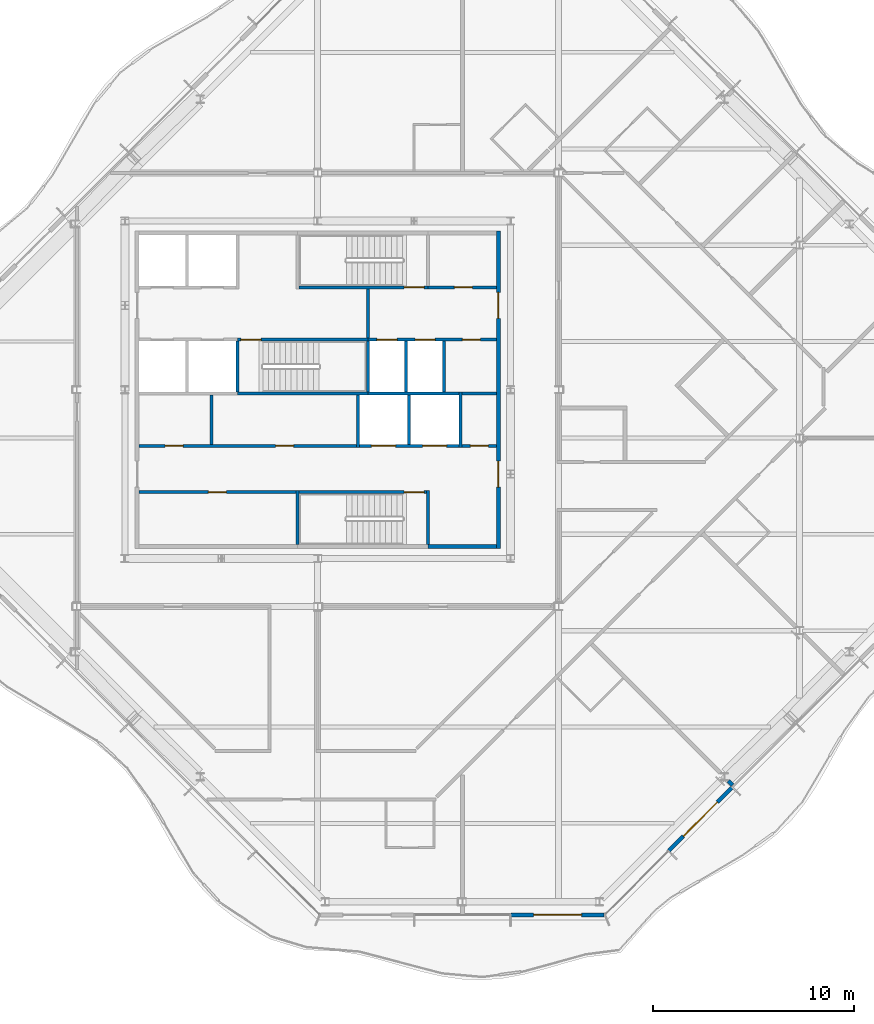
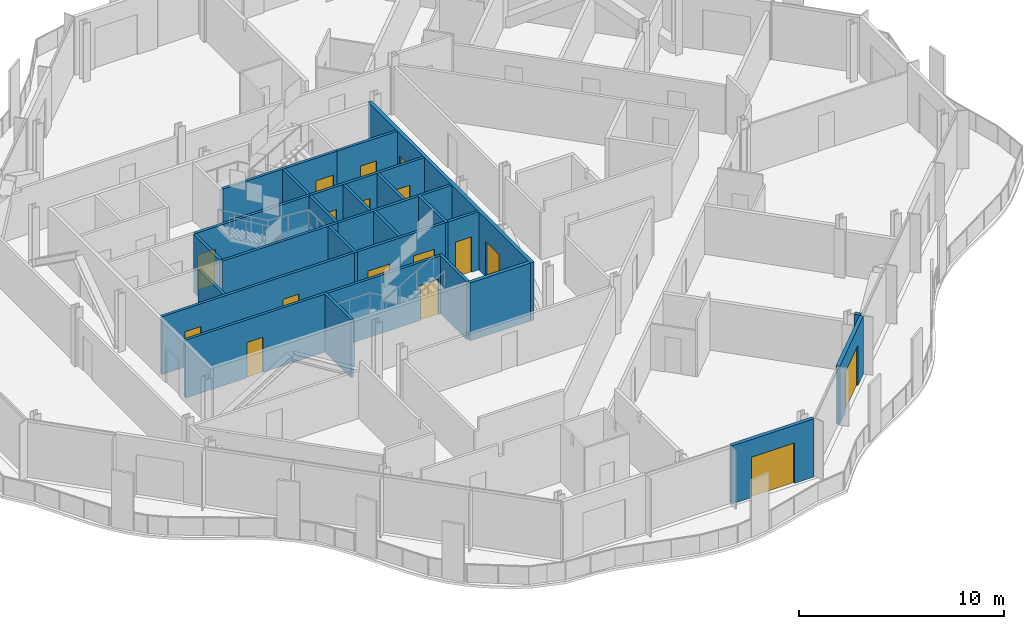
# One storey, part 8 of 17: 28 walls, 17 doors, 17 openings.
"""IFC4 building model written with IfcOpenShell, lengths in metres."""

from ifc_helpers import new_model, si_unit, direction, frame, frame_2d, origin, place, context, subcontext, project, spatial, rectangle, extrude, material, layer, layer_set, type_object, element, fill, save


model = new_model("IFC4")

# Units and contexts
model_context = context("Model", 3, precision=1e-05, world=origin(), true_north=direction((0.0, 1.0)))
body_context = subcontext(model_context, "Body", "Model", "MODEL_VIEW")
ifc_project = project(units=[si_unit("LENGTHUNIT", "METRE"), si_unit("AREAUNIT", "SQUARE_METRE"), si_unit("VOLUMEUNIT", "CUBIC_METRE"), si_unit("PLANEANGLEUNIT", "RADIAN"), si_unit("MASSUNIT", "GRAM", prefix="KILO")], contexts=[model_context])

# Site, building, storey
site_placement = place(None, origin())
site = spatial("IfcSite", under=ifc_project, at=site_placement, CompositionType="ELEMENT")
building_placement = place(site_placement, origin())
building = spatial("IfcBuilding", under=site, at=building_placement, Name="Cairn Pilgrim Tower", CompositionType="ELEMENT")
storey_placement = place(building_placement, frame((0.0, 0.0, 274.199951171875)))
storey = spatial("IfcBuildingStorey", under=building, at=storey_placement, Name="L70", CompositionType="ELEMENT", Elevation=274.199951171875)

# Wall, opening, door
ifc_material_1 = material(Name="Bronze anodised aluminium insulated sandwich panel with mineral wool fill", Category="aluminium")
ifc_layer_1 = layer(ifc_material_1, 0.199951171875)
ifc_layer_set_1 = layer_set([ifc_layer_1], Name="BRONZE INFILL FRAME WALL 200")
wall_type_1 = type_object("IfcWallType", Name="BRONZE INFILL FRAME WALL 200", PredefinedType="NOTDEFINED", material=ifc_layer_set_1)
wall_1_placement = place(storey_placement, frame((16.830078125, -23.75, 0.0), z_axis=(0.0, 0.0, 1.0), x_axis=(1.0, 0.0, 0.0)))
wall_1 = element("IfcWall", 1, at=wall_1_placement, inside=storey, type_object=wall_type_1, Name="Bronze infill frame wall IW-S3", PredefinedType="NOTDEFINED", context=body_context, shape_type="SweptSolid", body=[
    extrude(rectangle(XDim=4.62646484375, YDim=0.199951171875, at=frame_2d((2.313232421875, 0.0))), origin(), (0.0, 0.0, 1.0), 3.449951171875),
])
opening_1_placement = place(wall_1_placement, frame((1.117919921875, 0.0, 0.0)))
opening_1 = element("IfcOpeningElement", 2, at=opening_1_placement, cuts=wall_1, Name="Opening 7001B", PredefinedType="OPENING", context=body_context, shape_type="SweptSolid", body=[
    extrude(rectangle(XDim=2.39990234375, YDim=2.39990234375, at=frame_2d((1.199951171875, 1.199951171875))), frame((0.0, 0.10986328125, 0.0), z_axis=(0.0, -1.0, 0.0), x_axis=(1.0, 0.0, 0.0)), (0.0, 0.0, 1.0), 0.219970703125),
])
ifc_material_2 = material(Name="Bronze anodised aluminium frame with tinted low-E glass", Category="aluminium")
door_type_1 = type_object("IfcDoorType", Name="BALCONY SLIDING DOOR 2400x2400", OperationType="DOUBLE_DOOR_SLIDING", PredefinedType="DOOR", material=ifc_material_2)
door_1_placement = place(opening_1_placement, origin())
door_1 = element("IfcDoor", 3, at=door_1_placement, inside=storey, type_object=door_type_1, Name="Balcony sliding door 7001B", OperationType="SINGLE_SWING_LEFT", OverallHeight=2.39990234375, OverallWidth=2.39990234375, PredefinedType="DOOR", context=body_context, shape_type="SweptSolid", body=[
    extrude(rectangle(XDim=2.39990234375, YDim=2.39990234375, at=frame_2d((1.199951171875, 1.199951171875))), frame((0.0, 0.02490234375, 0.0), z_axis=(0.0, -1.0, 0.0), x_axis=(1.0, 0.0, 0.0)), (0.0, 0.0, 1.0), 0.050048828125),
])
fill(opening_1, door_1)

wall_2_placement = place(storey_placement, frame((24.693359375, -20.55322265625, 0.0), z_axis=(0.0, 0.0, 1.0), x_axis=(0.707079231393, 0.707134329907, 0.0)))
wall_2 = element("IfcWall", 4, at=wall_2_placement, inside=storey, type_object=wall_type_1, Name="Bronze infill frame wall IW-SE2", PredefinedType="NOTDEFINED", context=body_context, shape_type="SweptSolid", body=[
    extrude(rectangle(XDim=4.430908203125, YDim=0.199951171875, at=frame_2d((2.21533203125, 0.0))), origin(), (0.0, 0.0, 1.0), 3.449951171875),
])
opening_2_placement = place(wall_2_placement, frame((1.015380859375, 0.0, 0.0)))
opening_2 = element("IfcOpeningElement", 5, at=opening_2_placement, cuts=wall_2, Name="Opening 7001B2", PredefinedType="OPENING", context=body_context, shape_type="SweptSolid", body=[
    extrude(rectangle(XDim=2.39990234375, YDim=2.39990234375, at=frame_2d((1.199951171875, 1.199951171875))), frame((0.0, 0.10986328125, 0.0), z_axis=(0.0, -1.0, 0.0), x_axis=(1.0, 0.0, 0.0)), (0.0, 0.0, 1.0), 0.219970703125),
])
door_2_placement = place(opening_2_placement, origin())
door_2 = element("IfcDoor", 6, at=door_2_placement, inside=storey, type_object=door_type_1, Name="Balcony sliding door 7001B2", OperationType="SINGLE_SWING_LEFT", OverallHeight=2.39990234375, OverallWidth=2.39990234375, PredefinedType="DOOR", context=body_context, shape_type="SweptSolid", body=[
    extrude(rectangle(XDim=2.39990234375, YDim=2.39990234375, at=frame_2d((1.199951171875, 1.199951171875))), frame((0.0, 0.02490234375, 0.0), z_axis=(0.0, -1.0, 0.0), x_axis=(1.0, 0.0, 0.0)), (0.0, 0.0, 1.0), 0.050048828125),
])
fill(opening_2, door_2)

# Wall
ifc_material_3 = material(Name="Concrete C32/40", Category="concrete")
ifc_layer_2 = layer(ifc_material_3, 0.199951171875)
ifc_layer_set_2 = layer_set([ifc_layer_2], Name="CORE OUTER WALL 200 EI 120")
wall_type_2 = type_object("IfcWallType", Name="CORE OUTER WALL 200 EI 120", PredefinedType="SOLIDWALL", material=ifc_layer_set_2)
wall_3_placement = place(storey_placement, frame((12.699951171875, -5.39990234375, 0.0), z_axis=(0.0, 0.0, 1.0), x_axis=(1.0, 0.0, 0.0)))
element("IfcWall", 7, at=wall_3_placement, inside=storey, type_object=wall_type_2, Name="CW:L70:H01-3", PredefinedType="SOLIDWALL", context=body_context, shape_type="SweptSolid", body=[
    extrude(rectangle(XDim=3.400146484375, YDim=0.199951171875, at=frame_2d((1.7001953125, 0.0))), origin(), (0.0, 0.0, 1.0), 3.449951171875),
])

# Wall, openings, doors
wall_4_placement = place(storey_placement, frame((16.199951171875, -5.5, 0.0), z_axis=(0.0, 0.0, 1.0), x_axis=(0.0, 1.0, 0.0)))
wall_4 = element("IfcWall", 8, at=wall_4_placement, inside=storey, type_object=wall_type_2, Name="CW:L70:V30", PredefinedType="SOLIDWALL", context=body_context, shape_type="SweptSolid", body=[
    extrude(rectangle(XDim=15.800048828125, YDim=0.199951171875, at=frame_2d((7.89990234375, 0.0))), origin(), (0.0, 0.0, 1.0), 3.449951171875),
])
opening_3_placement = place(wall_4_placement, frame((3.050048828125, 0.0, 0.0)))
opening_3 = element("IfcOpeningElement", 9, at=opening_3_placement, cuts=wall_4, Name="Opening CD-E1", PredefinedType="OPENING", context=body_context, shape_type="SweptSolid", body=[
    extrude(rectangle(XDim=1.300048828125, YDim=2.10009765625, at=frame_2d((0.64990234375, 1.050048828125))), frame((0.0, 0.10986328125, 0.0), z_axis=(0.0, -1.0, 0.0), x_axis=(1.0, 0.0, 0.0)), (0.0, 0.0, 1.0), 0.219970703125),
])
opening_4_placement = place(wall_4_placement, frame((11.449951171875, 0.0, 0.0)))
opening_4 = element("IfcOpeningElement", 10, at=opening_4_placement, cuts=wall_4, Name="Opening CD-E2", PredefinedType="OPENING", context=body_context, shape_type="SweptSolid", body=[
    extrude(rectangle(XDim=1.300048828125, YDim=2.10009765625, at=frame_2d((0.64990234375, 1.050048828125))), frame((0.0, 0.10986328125, 0.0), z_axis=(0.0, -1.0, 0.0), x_axis=(1.0, 0.0, 0.0)), (0.0, 0.0, 1.0), 0.219970703125),
])
ifc_material_4 = material(Name="Painted steel", Category="steel")
door_type_2 = type_object("IfcDoorType", Name="CORE LOBBY DOOR 1300x2100", OperationType="DOUBLE_DOOR_SINGLE_SWING", PredefinedType="DOOR", material=ifc_material_4)
door_3_placement = place(opening_3_placement, origin())
door_3 = element("IfcDoor", 11, at=door_3_placement, inside=storey, type_object=door_type_2, Name="CD-E1", OperationType="DOUBLE_DOOR_SINGLE_SWING", OverallHeight=2.10009765625, OverallWidth=1.300048828125, PredefinedType="DOOR", context=body_context, shape_type="SweptSolid", body=[
    extrude(rectangle(XDim=1.300048828125, YDim=2.10009765625, at=frame_2d((0.64990234375, 1.050048828125))), frame((0.0, 0.02490234375, 0.0), z_axis=(0.0, -1.0, 0.0), x_axis=(1.0, 0.0, 0.0)), (0.0, 0.0, 1.0), 0.050048828125),
])
fill(opening_3, door_3)
door_4_placement = place(opening_4_placement, origin())
door_4 = element("IfcDoor", 12, at=door_4_placement, inside=storey, type_object=door_type_2, Name="CD-E2", OperationType="DOUBLE_DOOR_SINGLE_SWING", OverallHeight=2.10009765625, OverallWidth=1.300048828125, PredefinedType="DOOR", context=body_context, shape_type="SweptSolid", body=[
    extrude(rectangle(XDim=1.300048828125, YDim=2.10009765625, at=frame_2d((0.64990234375, 1.050048828125))), frame((0.0, 0.02490234375, 0.0), z_axis=(0.0, -1.0, 0.0), x_axis=(1.0, 0.0, 0.0)), (0.0, 0.0, 1.0), 0.050048828125),
])
fill(opening_4, door_4)

# Wall, opening, door
ifc_layer_3 = layer(ifc_material_3, 0.14990234375)
ifc_layer_set_3 = layer_set([ifc_layer_3], Name="CORE PARTITION 150 EI 60")
wall_type_3 = type_object("IfcWallType", Name="CORE PARTITION 150 EI 60", PredefinedType="PARTITIONING", material=ifc_layer_set_3)
wall_5_placement = place(storey_placement, frame((-1.699951171875, -2.699951171875, 0.0), z_axis=(0.0, 0.0, 1.0), x_axis=(1.0, 0.0, 0.0)))
wall_5 = element("IfcWall", 13, at=wall_5_placement, inside=storey, type_object=wall_type_3, Name="CW:L70:H02", PredefinedType="PARTITIONING", context=body_context, shape_type="SweptSolid", body=[
    extrude(rectangle(XDim=7.824951171875, YDim=0.14990234375, at=frame_2d((3.91259765625, 0.0))), origin(), (0.0, 0.0, 1.0), 3.449951171875),
])
opening_5_placement = place(wall_5_placement, frame((3.449951171875, 0.0, 0.0)))
opening_5 = element("IfcOpeningElement", 14, at=opening_5_placement, cuts=wall_5, Name="Opening RD-R1W1", PredefinedType="OPENING", context=body_context, shape_type="SweptSolid", body=[
    extrude(rectangle(XDim=0.89990234375, YDim=2.10009765625, at=frame_2d((0.449951171875, 1.050048828125))), frame((0.0, 0.0849609375, 0.0), z_axis=(0.0, -1.0, 0.0), x_axis=(1.0, 0.0, 0.0)), (0.0, 0.0, 1.0), 0.169921875),
])
door_type_3 = type_object("IfcDoorType", Name="SERVICE ROOM DOOR 900x2100", OperationType="SINGLE_SWING_LEFT", PredefinedType="DOOR", material=ifc_material_4)
door_5_placement = place(opening_5_placement, origin())
door_5 = element("IfcDoor", 15, at=door_5_placement, inside=storey, type_object=door_type_3, Name="RD-R1W1", OperationType="SINGLE_SWING_LEFT", OverallHeight=2.10009765625, OverallWidth=0.89990234375, PredefinedType="DOOR", context=body_context, shape_type="SweptSolid", body=[
    extrude(rectangle(XDim=0.89990234375, YDim=2.10009765625, at=frame_2d((0.449951171875, 1.050048828125))), frame((0.0, 0.02490234375, 0.0), z_axis=(0.0, -1.0, 0.0), x_axis=(1.0, 0.0, 0.0)), (0.0, 0.0, 1.0), 0.050048828125),
])
fill(opening_5, door_5)

# Wall, openings, doors
wall_6_placement = place(storey_placement, frame((-1.699951171875, -0.39990234375, 0.0), z_axis=(0.0, 0.0, 1.0), x_axis=(1.0, 0.0, 0.0)))
wall_6 = element("IfcWall", 16, at=wall_6_placement, inside=storey, type_object=wall_type_3, Name="CW:L70:H04", PredefinedType="PARTITIONING", context=body_context, shape_type="SweptSolid", body=[
    extrude(rectangle(XDim=10.824951171875, YDim=0.14990234375, at=frame_2d((5.41259765625, 0.0))), origin(), (0.0, 0.0, 1.0), 3.449951171875),
])
opening_6_placement = place(wall_6_placement, frame((1.300048828125, 0.0, 0.0)))
opening_6 = element("IfcOpeningElement", 17, at=opening_6_placement, cuts=wall_6, Name="Opening RD-R2W1", PredefinedType="OPENING", context=body_context, shape_type="SweptSolid", body=[
    extrude(rectangle(XDim=0.89990234375, YDim=2.10009765625, at=frame_2d((0.449951171875, 1.050048828125))), frame((0.0, 0.0849609375, 0.0), z_axis=(0.0, -1.0, 0.0), x_axis=(1.0, 0.0, 0.0)), (0.0, 0.0, 1.0), 0.169921875),
])
opening_7_placement = place(wall_6_placement, frame((6.800048828125, 0.0, 0.0)))
opening_7 = element("IfcOpeningElement", 18, at=opening_7_placement, cuts=wall_6, Name="Opening RD-R2W2", PredefinedType="OPENING", context=body_context, shape_type="SweptSolid", body=[
    extrude(rectangle(XDim=0.89990234375, YDim=2.10009765625, at=frame_2d((0.449951171875, 1.050048828125))), frame((0.0, 0.0849609375, 0.0), z_axis=(0.0, -1.0, 0.0), x_axis=(1.0, 0.0, 0.0)), (0.0, 0.0, 1.0), 0.169921875),
])
door_6_placement = place(opening_6_placement, origin())
door_6 = element("IfcDoor", 19, at=door_6_placement, inside=storey, type_object=door_type_3, Name="RD-R2W1", OperationType="SINGLE_SWING_RIGHT", OverallHeight=2.10009765625, OverallWidth=0.89990234375, PredefinedType="DOOR", context=body_context, shape_type="SweptSolid", body=[
    extrude(rectangle(XDim=0.89990234375, YDim=2.10009765625, at=frame_2d((0.449951171875, 1.050048828125))), frame((0.0, 0.02490234375, 0.0), z_axis=(0.0, -1.0, 0.0), x_axis=(1.0, 0.0, 0.0)), (0.0, 0.0, 1.0), 0.050048828125),
])
fill(opening_6, door_6)
door_7_placement = place(opening_7_placement, origin())
door_7 = element("IfcDoor", 20, at=door_7_placement, inside=storey, type_object=door_type_3, Name="RD-R2W2", OperationType="SINGLE_SWING_LEFT", OverallHeight=2.10009765625, OverallWidth=0.89990234375, PredefinedType="DOOR", context=body_context, shape_type="SweptSolid", body=[
    extrude(rectangle(XDim=0.89990234375, YDim=2.10009765625, at=frame_2d((0.449951171875, 1.050048828125))), frame((0.0, 0.02490234375, 0.0), z_axis=(0.0, -1.0, 0.0), x_axis=(1.0, 0.0, 0.0)), (0.0, 0.0, 1.0), 0.050048828125),
])
fill(opening_7, door_7)

# Wall, opening, door
wall_7_placement = place(storey_placement, frame((14.375, -0.39990234375, 0.0), z_axis=(0.0, 0.0, 1.0), x_axis=(1.0, 0.0, 0.0)))
wall_7 = element("IfcWall", 21, at=wall_7_placement, inside=storey, type_object=wall_type_3, Name="CW:L70:H06", PredefinedType="PARTITIONING", context=body_context, shape_type="SweptSolid", body=[
    extrude(rectangle(XDim=1.72509765625, YDim=0.14990234375, at=frame_2d((0.862548828125, 0.0))), origin(), (0.0, 0.0, 1.0), 3.449951171875),
])
opening_8_placement = place(wall_7_placement, frame((0.425048828125, 0.0, 0.0)))
opening_8 = element("IfcOpeningElement", 22, at=opening_8_placement, cuts=wall_7, Name="Opening RD-R2E", PredefinedType="OPENING", context=body_context, shape_type="SweptSolid", body=[
    extrude(rectangle(XDim=0.89990234375, YDim=2.10009765625, at=frame_2d((0.449951171875, 1.050048828125))), frame((0.0, 0.0849609375, 0.0), z_axis=(0.0, -1.0, 0.0), x_axis=(1.0, 0.0, 0.0)), (0.0, 0.0, 1.0), 0.169921875),
])
door_8_placement = place(opening_8_placement, origin())
door_8 = element("IfcDoor", 23, at=door_8_placement, inside=storey, type_object=door_type_3, Name="RD-R2E", OperationType="SINGLE_SWING_RIGHT", OverallHeight=2.10009765625, OverallWidth=0.89990234375, PredefinedType="DOOR", context=body_context, shape_type="SweptSolid", body=[
    extrude(rectangle(XDim=0.89990234375, YDim=2.10009765625, at=frame_2d((0.449951171875, 1.050048828125))), frame((0.0, 0.02490234375, 0.0), z_axis=(0.0, -1.0, 0.0), x_axis=(1.0, 0.0, 0.0)), (0.0, 0.0, 1.0), 0.050048828125),
])
fill(opening_8, door_8)

# Walls
wall_8_placement = place(storey_placement, frame((14.375, 2.199951171875, 0.0), z_axis=(0.0, 0.0, 1.0), x_axis=(1.0, 0.0, 0.0)))
element("IfcWall", 24, at=wall_8_placement, inside=storey, type_object=wall_type_3, Name="CW:L70:H08", PredefinedType="PARTITIONING", context=body_context, shape_type="SweptSolid", body=[
    extrude(rectangle(XDim=1.72509765625, YDim=0.14990234375, at=frame_2d((0.862548828125, 0.0))), origin(), (0.0, 0.0, 1.0), 3.449951171875),
])
wall_9_placement = place(storey_placement, frame((1.89990234375, -0.324951171875, 0.0), z_axis=(0.0, 0.0, 1.0), x_axis=(0.0, 1.0, 0.0)))
element("IfcWall", 25, at=wall_9_placement, inside=storey, type_object=wall_type_3, Name="CW:L70:V16", PredefinedType="PARTITIONING", context=body_context, shape_type="SweptSolid", body=[
    extrude(rectangle(XDim=2.449951171875, YDim=0.14990234375, at=frame_2d((1.22509765625, 0.0))), origin(), (0.0, 0.0, 1.0), 3.449951171875),
])

# Wall, openings, doors
ifc_layer_4 = layer(ifc_material_3, 0.14990234375)
ifc_layer_set_4 = layer_set([ifc_layer_4], Name="CORE SHAFT WALL 150 EI 120")
wall_type_4 = type_object("IfcWallType", Name="CORE SHAFT WALL 150 EI 120", PredefinedType="SOLIDWALL", material=ifc_layer_set_4)
wall_10_placement = place(storey_placement, frame((9.27490234375, -0.39990234375, 0.0), z_axis=(0.0, 0.0, 1.0), x_axis=(1.0, 0.0, 0.0)))
wall_10 = element("IfcWall", 26, at=wall_10_placement, inside=storey, type_object=wall_type_4, Name="CW:L70:H05", PredefinedType="SOLIDWALL", context=body_context, shape_type="SweptSolid", body=[
    extrude(rectangle(XDim=4.9501953125, YDim=0.14990234375, at=frame_2d((2.47509765625, 0.0))), origin(), (0.0, 0.0, 1.0), 3.449951171875),
])
opening_9_placement = place(wall_10_placement, frame((0.60009765625, 0.0, 0.0)))
opening_9 = element("IfcOpeningElement", 27, at=opening_9_placement, cuts=wall_10, Name="Opening LD-SV1", PredefinedType="OPENING", context=body_context, shape_type="SweptSolid", body=[
    extrude(rectangle(XDim=1.199951171875, YDim=2.10009765625, at=frame_2d((0.60009765625, 1.050048828125))), frame((0.0, 0.0849609375, 0.0), z_axis=(0.0, -1.0, 0.0), x_axis=(1.0, 0.0, 0.0)), (0.0, 0.0, 1.0), 0.169921875),
])
opening_10_placement = place(wall_10_placement, frame((3.14990234375, 0.0, 0.0)))
opening_10 = element("IfcOpeningElement", 28, at=opening_10_placement, cuts=wall_10, Name="Opening LD-SV2", PredefinedType="OPENING", context=body_context, shape_type="SweptSolid", body=[
    extrude(rectangle(XDim=1.199951171875, YDim=2.10009765625, at=frame_2d((0.60009765625, 1.050048828125))), frame((0.0, 0.0849609375, 0.0), z_axis=(0.0, -1.0, 0.0), x_axis=(1.0, 0.0, 0.0)), (0.0, 0.0, 1.0), 0.169921875),
])
ifc_material_5 = material(Name="Stainless steel", Category="steel")
door_type_4 = type_object("IfcDoorType", Name="LIFT LANDING DOOR 1200x2100", OperationType="DOUBLE_DOOR_SLIDING", PredefinedType="DOOR", material=ifc_material_5)
door_9_placement = place(opening_9_placement, origin())
door_9 = element("IfcDoor", 29, at=door_9_placement, inside=storey, type_object=door_type_4, Name="LANDING DOOR SV1", OperationType="DOUBLE_DOOR_SLIDING", OverallHeight=2.10009765625, OverallWidth=1.199951171875, PredefinedType="DOOR", context=body_context, shape_type="SweptSolid", body=[
    extrude(rectangle(XDim=1.199951171875, YDim=2.10009765625, at=frame_2d((0.60009765625, 1.050048828125))), frame((0.0, 0.02490234375, 0.0), z_axis=(0.0, -1.0, 0.0), x_axis=(1.0, 0.0, 0.0)), (0.0, 0.0, 1.0), 0.050048828125),
])
fill(opening_9, door_9)
door_10_placement = place(opening_10_placement, origin())
door_10 = element("IfcDoor", 30, at=door_10_placement, inside=storey, type_object=door_type_4, Name="LANDING DOOR SV2", OperationType="DOUBLE_DOOR_SLIDING", OverallHeight=2.10009765625, OverallWidth=1.199951171875, PredefinedType="DOOR", context=body_context, shape_type="SweptSolid", body=[
    extrude(rectangle(XDim=1.199951171875, YDim=2.10009765625, at=frame_2d((0.60009765625, 1.050048828125))), frame((0.0, 0.02490234375, 0.0), z_axis=(0.0, -1.0, 0.0), x_axis=(1.0, 0.0, 0.0)), (0.0, 0.0, 1.0), 0.050048828125),
])
fill(opening_10, door_10)

# Wall
wall_11_placement = place(storey_placement, frame((9.699951171875, 2.199951171875, 0.0), z_axis=(0.0, 0.0, 1.0), x_axis=(1.0, 0.0, 0.0)))
element("IfcWall", 31, at=wall_11_placement, inside=storey, type_object=wall_type_4, Name="CW:L70:H07-3", PredefinedType="SOLIDWALL", context=body_context, shape_type="SweptSolid", body=[
    extrude(rectangle(XDim=4.525146484375, YDim=0.14990234375, at=frame_2d((2.2626953125, 0.0))), origin(), (0.0, 0.0, 1.0), 3.449951171875),
])

# Wall, openings, doors
wall_12_placement = place(storey_placement, frame((9.699951171875, 4.89990234375, 0.0), z_axis=(0.0, 0.0, 1.0), x_axis=(1.0, 0.0, 0.0)))
wall_12 = element("IfcWall", 32, at=wall_12_placement, inside=storey, type_object=wall_type_4, Name="CW:L70:H09-3", PredefinedType="SOLIDWALL", context=body_context, shape_type="SweptSolid", body=[
    extrude(rectangle(XDim=6.400146484375, YDim=0.14990234375, at=frame_2d((3.2001953125, 0.0))), origin(), (0.0, 0.0, 1.0), 3.449951171875),
])
opening_11_placement = place(wall_12_placement, frame((0.449951171875, 0.0, 0.0)))
opening_11 = element("IfcOpeningElement", 33, at=opening_11_placement, cuts=wall_12, Name="Opening LD-FF1", PredefinedType="OPENING", context=body_context, shape_type="SweptSolid", body=[
    extrude(rectangle(XDim=1.0, YDim=2.10009765625, at=frame_2d((0.5, 1.050048828125))), frame((0.0, 0.0849609375, 0.0), z_axis=(0.0, -1.0, 0.0), x_axis=(1.0, 0.0, 0.0)), (0.0, 0.0, 1.0), 0.169921875),
])
opening_12_placement = place(wall_12_placement, frame((2.35009765625, 0.0, 0.0)))
opening_12 = element("IfcOpeningElement", 34, at=opening_12_placement, cuts=wall_12, Name="Opening LD-FF2", PredefinedType="OPENING", context=body_context, shape_type="SweptSolid", body=[
    extrude(rectangle(XDim=1.0, YDim=2.10009765625, at=frame_2d((0.5, 1.050048828125))), frame((0.0, 0.0849609375, 0.0), z_axis=(0.0, -1.0, 0.0), x_axis=(1.0, 0.0, 0.0)), (0.0, 0.0, 1.0), 0.169921875),
])
opening_13_placement = place(wall_12_placement, frame((4.699951171875, 0.0, 0.0)))
opening_13 = element("IfcOpeningElement", 35, at=opening_13_placement, cuts=wall_12, Name="Opening RD-R3E", PredefinedType="OPENING", context=body_context, shape_type="SweptSolid", body=[
    extrude(rectangle(XDim=0.89990234375, YDim=2.10009765625, at=frame_2d((0.449951171875, 1.050048828125))), frame((0.0, 0.0849609375, 0.0), z_axis=(0.0, -1.0, 0.0), x_axis=(1.0, 0.0, 0.0)), (0.0, 0.0, 1.0), 0.169921875),
])
door_type_5 = type_object("IfcDoorType", Name="LIFT LANDING DOOR FIRE 1000x2100", OperationType="DOUBLE_DOOR_SLIDING", PredefinedType="DOOR", material=ifc_material_5)
door_11_placement = place(opening_11_placement, origin())
door_11 = element("IfcDoor", 36, at=door_11_placement, inside=storey, type_object=door_type_5, Name="LANDING DOOR FF1", OperationType="DOUBLE_DOOR_SLIDING", OverallHeight=2.10009765625, OverallWidth=1.0, PredefinedType="DOOR", context=body_context, shape_type="SweptSolid", body=[
    extrude(rectangle(XDim=1.0, YDim=2.10009765625, at=frame_2d((0.5, 1.050048828125))), frame((0.0, 0.02490234375, 0.0), z_axis=(0.0, -1.0, 0.0), x_axis=(1.0, 0.0, 0.0)), (0.0, 0.0, 1.0), 0.050048828125),
])
fill(opening_11, door_11)
door_12_placement = place(opening_12_placement, origin())
door_12 = element("IfcDoor", 37, at=door_12_placement, inside=storey, type_object=door_type_5, Name="LANDING DOOR FF2", OperationType="DOUBLE_DOOR_SLIDING", OverallHeight=2.10009765625, OverallWidth=1.0, PredefinedType="DOOR", context=body_context, shape_type="SweptSolid", body=[
    extrude(rectangle(XDim=1.0, YDim=2.10009765625, at=frame_2d((0.5, 1.050048828125))), frame((0.0, 0.02490234375, 0.0), z_axis=(0.0, -1.0, 0.0), x_axis=(1.0, 0.0, 0.0)), (0.0, 0.0, 1.0), 0.050048828125),
])
fill(opening_12, door_12)
door_13_placement = place(opening_13_placement, origin())
door_13 = element("IfcDoor", 38, at=door_13_placement, inside=storey, type_object=door_type_3, Name="RD-R3E", OperationType="SINGLE_SWING_LEFT", OverallHeight=2.10009765625, OverallWidth=0.89990234375, PredefinedType="DOOR", context=body_context, shape_type="SweptSolid", body=[
    extrude(rectangle(XDim=0.89990234375, YDim=2.10009765625, at=frame_2d((0.449951171875, 1.050048828125))), frame((0.0, 0.02490234375, 0.0), z_axis=(0.0, -1.0, 0.0), x_axis=(1.0, 0.0, 0.0)), (0.0, 0.0, 1.0), 0.050048828125),
])
fill(opening_13, door_13)

# Wall, opening, door
wall_13_placement = place(storey_placement, frame((12.699951171875, 7.5, 0.0), z_axis=(0.0, 0.0, 1.0), x_axis=(1.0, 0.0, 0.0)))
wall_13 = element("IfcWall", 39, at=wall_13_placement, inside=storey, type_object=wall_type_4, Name="CW:L70:H11-2", PredefinedType="SOLIDWALL", context=body_context, shape_type="SweptSolid", body=[
    extrude(rectangle(XDim=3.400146484375, YDim=0.14990234375, at=frame_2d((1.7001953125, 0.0))), origin(), (0.0, 0.0, 1.0), 3.449951171875),
])
opening_14_placement = place(wall_13_placement, frame((1.300048828125, 0.0, 0.0)))
opening_14 = element("IfcOpeningElement", 40, at=opening_14_placement, cuts=wall_13, Name="Opening RD-R4E", PredefinedType="OPENING", context=body_context, shape_type="SweptSolid", body=[
    extrude(rectangle(XDim=0.89990234375, YDim=2.10009765625, at=frame_2d((0.449951171875, 1.050048828125))), frame((0.0, 0.0849609375, 0.0), z_axis=(0.0, -1.0, 0.0), x_axis=(1.0, 0.0, 0.0)), (0.0, 0.0, 1.0), 0.169921875),
])
door_14_placement = place(opening_14_placement, origin())
door_14 = element("IfcDoor", 41, at=door_14_placement, inside=storey, type_object=door_type_3, Name="RD-R4E", OperationType="SINGLE_SWING_RIGHT", OverallHeight=2.10009765625, OverallWidth=0.89990234375, PredefinedType="DOOR", context=body_context, shape_type="SweptSolid", body=[
    extrude(rectangle(XDim=0.89990234375, YDim=2.10009765625, at=frame_2d((0.449951171875, 1.050048828125))), frame((0.0, 0.02490234375, 0.0), z_axis=(0.0, -1.0, 0.0), x_axis=(1.0, 0.0, 0.0)), (0.0, 0.0, 1.0), 0.050048828125),
])
fill(opening_14, door_14)

# Walls
wall_14_placement = place(storey_placement, frame((9.199951171875, -0.47509765625, 0.0), z_axis=(0.0, 0.0, 1.0), x_axis=(0.0, 1.0, 0.0)))
element("IfcWall", 42, at=wall_14_placement, inside=storey, type_object=wall_type_4, Name="CW:L70:V21", PredefinedType="SOLIDWALL", context=body_context, shape_type="SweptSolid", body=[
    extrude(rectangle(XDim=2.60009765625, YDim=0.14990234375, at=frame_2d((1.300048828125, 0.0))), origin(), (0.0, 0.0, 1.0), 3.449951171875),
])
wall_15_placement = place(storey_placement, frame((9.699951171875, 4.97509765625, 0.0), z_axis=(0.0, 0.0, 1.0), x_axis=(0.0, 1.0, 0.0)))
element("IfcWall", 43, at=wall_15_placement, inside=storey, type_object=wall_type_4, Name="CW:L70:V23", PredefinedType="SOLIDWALL", context=body_context, shape_type="SweptSolid", body=[
    extrude(rectangle(XDim=2.449951171875, YDim=0.14990234375, at=frame_2d((1.22509765625, 0.0))), origin(), (0.0, 0.0, 1.0), 3.449951171875),
])
wall_16_placement = place(storey_placement, frame((11.60009765625, 2.27490234375, 0.0), z_axis=(0.0, 0.0, 1.0), x_axis=(0.0, 1.0, 0.0)))
element("IfcWall", 44, at=wall_16_placement, inside=storey, type_object=wall_type_4, Name="CW:L70:V24", PredefinedType="SOLIDWALL", context=body_context, shape_type="SweptSolid", body=[
    extrude(rectangle(XDim=2.550048828125, YDim=0.14990234375, at=frame_2d((1.27490234375, 0.0))), origin(), (0.0, 0.0, 1.0), 3.449951171875),
])
wall_17_placement = place(storey_placement, frame((11.75, -0.324951171875, 0.0), z_axis=(0.0, 0.0, 1.0), x_axis=(0.0, 1.0, 0.0)))
element("IfcWall", 45, at=wall_17_placement, inside=storey, type_object=wall_type_4, Name="CW:L70:V25", PredefinedType="SOLIDWALL", context=body_context, shape_type="SweptSolid", body=[
    extrude(rectangle(XDim=2.449951171875, YDim=0.14990234375, at=frame_2d((1.22509765625, 0.0))), origin(), (0.0, 0.0, 1.0), 3.449951171875),
])
wall_18_placement = place(storey_placement, frame((13.5, 2.27490234375, 0.0), z_axis=(0.0, 0.0, 1.0), x_axis=(0.0, 1.0, 0.0)))
element("IfcWall", 46, at=wall_18_placement, inside=storey, type_object=wall_type_4, Name="CW:L70:V28", PredefinedType="SOLIDWALL", context=body_context, shape_type="SweptSolid", body=[
    extrude(rectangle(XDim=2.550048828125, YDim=0.14990234375, at=frame_2d((1.27490234375, 0.0))), origin(), (0.0, 0.0, 1.0), 3.449951171875),
])
wall_19_placement = place(storey_placement, frame((14.300048828125, -0.47509765625, 0.0), z_axis=(0.0, 0.0, 1.0), x_axis=(0.0, 1.0, 0.0)))
element("IfcWall", 47, at=wall_19_placement, inside=storey, type_object=wall_type_4, Name="CW:L70:V29", PredefinedType="SOLIDWALL", context=body_context, shape_type="SweptSolid", body=[
    extrude(rectangle(XDim=2.75, YDim=0.14990234375, at=frame_2d((1.375, 0.0))), origin(), (0.0, 0.0, 1.0), 3.449951171875),
])
ifc_material_6 = material(Name="Gypsum partition")
ifc_layer_5 = layer(ifc_material_6, 0.199951171875)
ifc_layer_set_5 = layer_set([ifc_layer_5], Name="SHAFT WALL 200 GYPSUM EI 60")
wall_type_5 = type_object("IfcWallType", Name="SHAFT WALL 200 GYPSUM EI 60", PredefinedType="PARTITIONING", material=ifc_layer_set_5)
wall_20_placement = place(storey_placement, frame((27.868896484375, -17.292724609375, 0.0), z_axis=(0.0, 0.0, 1.0), x_axis=(-0.707106781187, 0.707106781187, 0.0)))
element("IfcWall", 48, at=wall_20_placement, inside=storey, type_object=wall_type_5, Name="PARTITION W008", PredefinedType="PARTITIONING", context=body_context, shape_type="SweptSolid", body=[
    extrude(rectangle(XDim=0.31005859375, YDim=0.199951171875, at=frame_2d((0.155029296875, 0.0))), origin(), (0.0, 0.0, 1.0), 3.449951171875),
])

# Wall, opening, door
ifc_material_7 = material(Name="Concrete C35/45", Category="concrete")
ifc_layer_6 = layer(ifc_material_7, 0.14990234375)
ifc_layer_set_6 = layer_set([ifc_layer_6], Name="STAIR SHAFT WALL 150 EI 120")
wall_type_6 = type_object("IfcWallType", Name="STAIR SHAFT WALL 150 EI 120", PredefinedType="SOLIDWALL", material=ifc_layer_set_6)
wall_21_placement = place(storey_placement, frame((6.27490234375, -2.699951171875, 0.0), z_axis=(0.0, 0.0, 1.0), x_axis=(1.0, 0.0, 0.0)))
wall_21 = element("IfcWall", 49, at=wall_21_placement, inside=storey, type_object=wall_type_6, Name="CW:L70:H03", PredefinedType="SOLIDWALL", context=body_context, shape_type="SweptSolid", body=[
    extrude(rectangle(XDim=6.35009765625, YDim=0.14990234375, at=frame_2d((3.175048828125, 0.0))), origin(), (0.0, 0.0, 1.0), 3.449951171875),
])
opening_15_placement = place(wall_21_placement, frame((5.22509765625, 0.0, 0.0)))
opening_15 = element("IfcOpeningElement", 50, at=opening_15_placement, cuts=wall_21, Name="Opening SD-A", PredefinedType="OPENING", context=body_context, shape_type="SweptSolid", body=[
    extrude(rectangle(XDim=1.0, YDim=2.10009765625, at=frame_2d((0.5, 1.050048828125))), frame((0.0, 0.0849609375, 0.0), z_axis=(0.0, -1.0, 0.0), x_axis=(1.0, 0.0, 0.0)), (0.0, 0.0, 1.0), 0.169921875),
])
door_type_6 = type_object("IfcDoorType", Name="STAIR DOOR FD60S 1000x2100", OperationType="SINGLE_SWING_LEFT", PredefinedType="DOOR", material=ifc_material_4)
door_15_placement = place(opening_15_placement, origin())
door_15 = element("IfcDoor", 51, at=door_15_placement, inside=storey, type_object=door_type_6, Name="SD-A", OperationType="SINGLE_SWING_LEFT", OverallHeight=2.10009765625, OverallWidth=1.0, PredefinedType="DOOR", context=body_context, shape_type="SweptSolid", body=[
    extrude(rectangle(XDim=1.0, YDim=2.10009765625, at=frame_2d((0.5, 1.050048828125))), frame((0.0, 0.02490234375, 0.0), z_axis=(0.0, -1.0, 0.0), x_axis=(1.0, 0.0, 0.0)), (0.0, 0.0, 1.0), 0.050048828125),
])
fill(opening_15, door_15)

# Wall
wall_22_placement = place(storey_placement, frame((3.199951171875, 2.199951171875, 0.0), z_axis=(0.0, 0.0, 1.0), x_axis=(1.0, 0.0, 0.0)))
element("IfcWall", 52, at=wall_22_placement, inside=storey, type_object=wall_type_6, Name="CW:L70:H07-2", PredefinedType="SOLIDWALL", context=body_context, shape_type="SweptSolid", body=[
    extrude(rectangle(XDim=6.5, YDim=0.14990234375, at=frame_2d((3.25, 0.0))), origin(), (0.0, 0.0, 1.0), 3.449951171875),
])

# Wall, opening, door
wall_23_placement = place(storey_placement, frame((3.199951171875, 4.89990234375, 0.0), z_axis=(0.0, 0.0, 1.0), x_axis=(1.0, 0.0, 0.0)))
wall_23 = element("IfcWall", 53, at=wall_23_placement, inside=storey, type_object=wall_type_6, Name="CW:L70:H09-2", PredefinedType="SOLIDWALL", context=body_context, shape_type="SweptSolid", body=[
    extrude(rectangle(XDim=6.5, YDim=0.14990234375, at=frame_2d((3.25, 0.0))), origin(), (0.0, 0.0, 1.0), 3.449951171875),
])
opening_16_placement = place(wall_23_placement, frame((0.175048828125, 0.0, 0.0)))
opening_16 = element("IfcOpeningElement", 54, at=opening_16_placement, cuts=wall_23, Name="Opening SD-B", PredefinedType="OPENING", context=body_context, shape_type="SweptSolid", body=[
    extrude(rectangle(XDim=1.0, YDim=2.10009765625, at=frame_2d((0.5, 1.050048828125))), frame((0.0, 0.0849609375, 0.0), z_axis=(0.0, -1.0, 0.0), x_axis=(1.0, 0.0, 0.0)), (0.0, 0.0, 1.0), 0.169921875),
])
door_16_placement = place(opening_16_placement, origin())
door_16 = element("IfcDoor", 55, at=door_16_placement, inside=storey, type_object=door_type_6, Name="SD-B", OperationType="SINGLE_SWING_RIGHT", OverallHeight=2.10009765625, OverallWidth=1.0, PredefinedType="DOOR", context=body_context, shape_type="SweptSolid", body=[
    extrude(rectangle(XDim=1.0, YDim=2.10009765625, at=frame_2d((0.5, 1.050048828125))), frame((0.0, 0.02490234375, 0.0), z_axis=(0.0, -1.0, 0.0), x_axis=(1.0, 0.0, 0.0)), (0.0, 0.0, 1.0), 0.050048828125),
])
fill(opening_16, door_16)

wall_24_placement = place(storey_placement, frame((6.27490234375, 7.5, 0.0), z_axis=(0.0, 0.0, 1.0), x_axis=(1.0, 0.0, 0.0)))
wall_24 = element("IfcWall", 56, at=wall_24_placement, inside=storey, type_object=wall_type_6, Name="CW:L70:H11-1", PredefinedType="SOLIDWALL", context=body_context, shape_type="SweptSolid", body=[
    extrude(rectangle(XDim=6.425048828125, YDim=0.14990234375, at=frame_2d((3.21240234375, 0.0))), origin(), (0.0, 0.0, 1.0), 3.449951171875),
])
opening_17_placement = place(wall_24_placement, frame((5.22509765625, 0.0, 0.0)))
opening_17 = element("IfcOpeningElement", 57, at=opening_17_placement, cuts=wall_24, Name="Opening SD-C", PredefinedType="OPENING", context=body_context, shape_type="SweptSolid", body=[
    extrude(rectangle(XDim=1.0, YDim=2.10009765625, at=frame_2d((0.5, 1.050048828125))), frame((0.0, 0.0849609375, 0.0), z_axis=(0.0, -1.0, 0.0), x_axis=(1.0, 0.0, 0.0)), (0.0, 0.0, 1.0), 0.169921875),
])
door_17_placement = place(opening_17_placement, origin())
door_17 = element("IfcDoor", 58, at=door_17_placement, inside=storey, type_object=door_type_6, Name="SD-C", OperationType="SINGLE_SWING_LEFT", OverallHeight=2.10009765625, OverallWidth=1.0, PredefinedType="DOOR", context=body_context, shape_type="SweptSolid", body=[
    extrude(rectangle(XDim=1.0, YDim=2.10009765625, at=frame_2d((0.5, 1.050048828125))), frame((0.0, 0.02490234375, 0.0), z_axis=(0.0, -1.0, 0.0), x_axis=(1.0, 0.0, 0.0)), (0.0, 0.0, 1.0), 0.050048828125),
])
fill(opening_17, door_17)

# Walls
wall_25_placement = place(storey_placement, frame((3.199951171875, 2.27490234375, 0.0), z_axis=(0.0, 0.0, 1.0), x_axis=(0.0, 1.0, 0.0)))
element("IfcWall", 59, at=wall_25_placement, inside=storey, type_object=wall_type_6, Name="CW:L70:V17", PredefinedType="SOLIDWALL", context=body_context, shape_type="SweptSolid", body=[
    extrude(rectangle(XDim=2.550048828125, YDim=0.14990234375, at=frame_2d((1.27490234375, 0.0))), origin(), (0.0, 0.0, 1.0), 3.449951171875),
])
wall_26_placement = place(storey_placement, frame((6.199951171875, -5.300048828125, 0.0), z_axis=(0.0, 0.0, 1.0), x_axis=(0.0, 1.0, 0.0)))
element("IfcWall", 60, at=wall_26_placement, inside=storey, type_object=wall_type_6, Name="CW:L70:V19", PredefinedType="SOLIDWALL", context=body_context, shape_type="SweptSolid", body=[
    extrude(rectangle(XDim=2.675048828125, YDim=0.14990234375, at=frame_2d((1.33740234375, 0.0))), origin(), (0.0, 0.0, 1.0), 3.449951171875),
])
wall_27_placement = place(storey_placement, frame((9.699951171875, 2.27490234375, 0.0), z_axis=(0.0, 0.0, 1.0), x_axis=(0.0, 1.0, 0.0)))
element("IfcWall", 61, at=wall_27_placement, inside=storey, type_object=wall_type_6, Name="CW:L70:V22", PredefinedType="SOLIDWALL", context=body_context, shape_type="SweptSolid", body=[
    extrude(rectangle(XDim=2.550048828125, YDim=0.14990234375, at=frame_2d((1.27490234375, 0.0))), origin(), (0.0, 0.0, 1.0), 3.449951171875),
])
wall_28_placement = place(storey_placement, frame((12.699951171875, -5.300048828125, 0.0), z_axis=(0.0, 0.0, 1.0), x_axis=(0.0, 1.0, 0.0)))
element("IfcWall", 62, at=wall_28_placement, inside=storey, type_object=wall_type_6, Name="CW:L70:V26", PredefinedType="SOLIDWALL", context=body_context, shape_type="SweptSolid", body=[
    extrude(rectangle(XDim=2.675048828125, YDim=0.14990234375, at=frame_2d((1.33740234375, 0.0))), origin(), (0.0, 0.0, 1.0), 3.449951171875),
])

save(model, "model.ifc")
